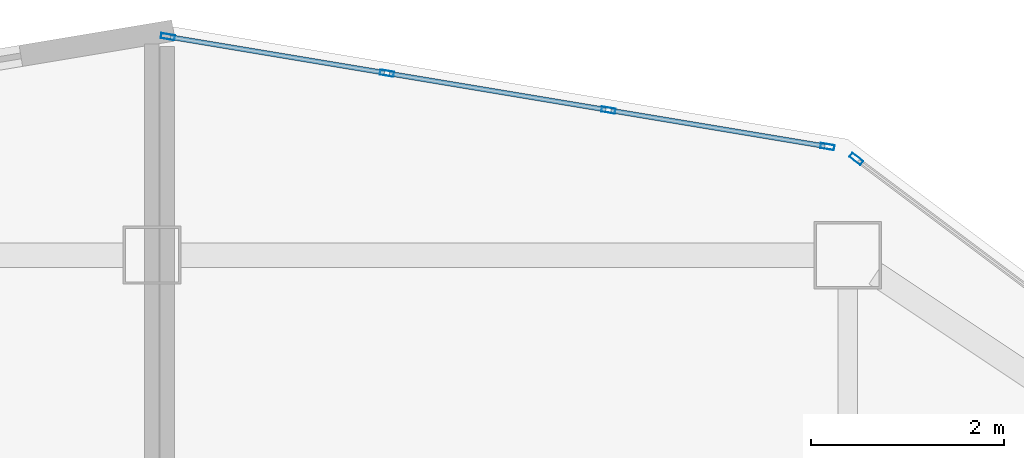
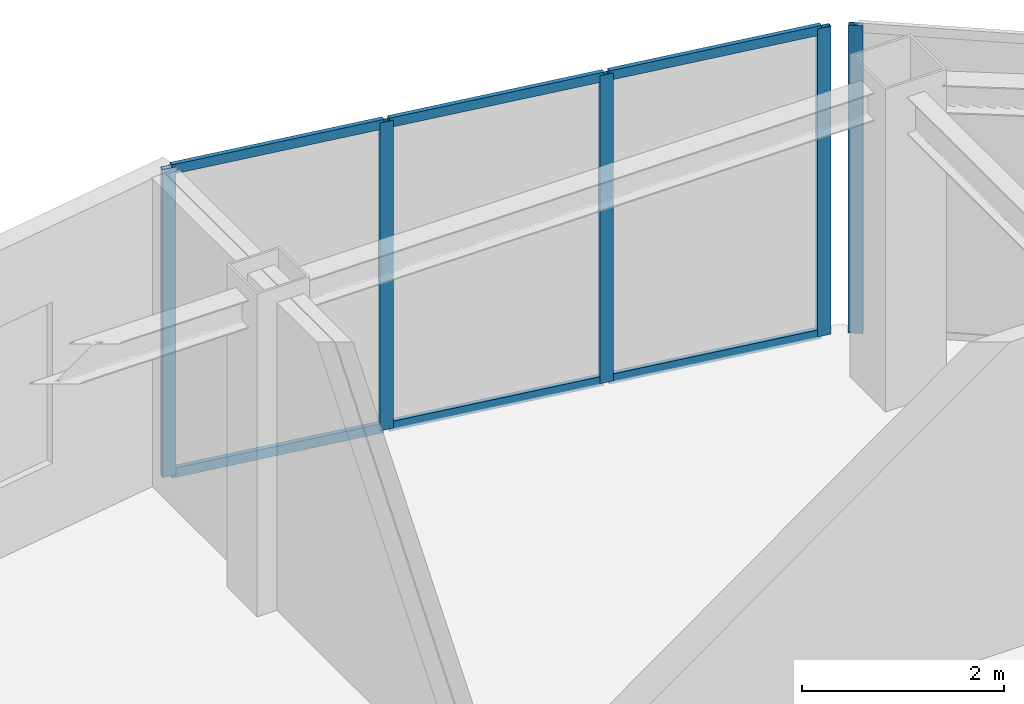
# One storey, part 3 of 8: 11 members, 2 elements without a shape of their own.
"""IFC4 building model written with IfcOpenShell, lengths in metres."""

import ifcopenshell
import ifcopenshell.guid

model = None  # the IFC model being written
_history = None  # IfcOwnerHistory: only IFC2X3 demands one
_inside = {}  # id of a spatial element -> (the spatial element, [elements in it])
_under = {}  # id of a project, library or spatial element -> (it, [spatial elements below it])
_declared = {}  # id of a project -> (the project, [libraries it declares])
_typed = {}  # id of a type object -> (the type object, [elements of that type])
_made_of = {}  # id of a material, layer set ... -> (it, [elements and type objects made of it])


def new_model(schema):
    """Start an empty IFC model of exactly this schema.

    Asked for "IFC4X3", IfcOpenShell would pick the latest addendum, in which some entities
    have other attributes; the version numbers below select the first issue.
    IFC2X3 requires an IfcOwnerHistory on every rooted entity: one is made here for all.
    """
    global model, _history
    if schema == "IFC4X3":
        model = ifcopenshell.file(schema_version=(4, 3, 0, 0))
    else:
        model = ifcopenshell.file(schema=schema)
    _inside.clear()
    _under.clear()
    _declared.clear()
    _typed.clear()
    _made_of.clear()
    _history = None
    if model.schema == "IFC2X3":
        org = make("IfcOrganization", Name="unknown")
        user = make(
            "IfcPersonAndOrganization",
            ThePerson=make("IfcPerson", FamilyName="unknown"),
            TheOrganization=org,
        )
        app = make(
            "IfcApplication",
            ApplicationDeveloper=org,
            Version="unknown",
            ApplicationFullName="unknown",
            ApplicationIdentifier="unknown",
        )
        _history = make(
            "IfcOwnerHistory",
            OwningUser=user,
            OwningApplication=app,
            ChangeAction="ADDED",
            CreationDate=0,
        )
    return model


def make(cls, **values):
    """One entity of the class cls with the attributes given. An attribute that is None is left unset."""
    return model.create_entity(
        cls, **{name: value for name, value in values.items() if value is not None}
    )


def rooted(cls, **values):
    """An entity with a GlobalId (a new one), such as an element, a storey or a relation."""
    return make(cls, GlobalId=ifcopenshell.guid.new(), OwnerHistory=_history, **values)


def si_unit(unit_type, name, prefix=None):
    """IfcSIUnit, for example si_unit("LENGTHUNIT", "METRE", prefix="MILLI")."""
    return make("IfcSIUnit", UnitType=unit_type, Prefix=prefix, Name=name)


def assignment(units):
    """IfcUnitAssignment: the units of a project."""
    return None if units is None else make("IfcUnitAssignment", Units=units)


def point(xyz):
    """IfcCartesianPoint."""
    return None if xyz is None else make("IfcCartesianPoint", Coordinates=xyz)


def direction(xyz):
    """IfcDirection."""
    return None if xyz is None else make("IfcDirection", DirectionRatios=xyz)


def frame(location, z_axis=None, x_axis=None):
    """IfcAxis2Placement3D, a coordinate frame: its origin and axes. An axis left out is left unset."""
    return make(
        "IfcAxis2Placement3D",
        Location=point(location),
        Axis=direction(z_axis),
        RefDirection=direction(x_axis),
    )


def frame_2d(location, x_axis=None):
    """IfcAxis2Placement2D, a coordinate frame in the plane: its origin and x axis."""
    return make(
        "IfcAxis2Placement2D", Location=point(location), RefDirection=direction(x_axis)
    )


def origin():
    """The frame at (0, 0, 0) with its axes left unset."""
    return frame((0.0, 0.0, 0.0))


def origin_2d():
    """The frame at (0, 0) in the plane with its x axis left unset."""
    return frame_2d((0.0, 0.0))


def place(relative_to, where):
    """IfcLocalPlacement: puts the frame where relative to a parent placement (None: the world)."""
    return make(
        "IfcLocalPlacement", PlacementRelTo=relative_to, RelativePlacement=where
    )


def context(
    kind, dimensions, precision=None, world=None, true_north=None, identifier=None
):
    """IfcGeometricRepresentationContext, for example the 3D "Model" context."""
    return make(
        "IfcGeometricRepresentationContext",
        ContextIdentifier=identifier,
        ContextType=kind,
        CoordinateSpaceDimension=dimensions,
        Precision=precision,
        WorldCoordinateSystem=world,
        TrueNorth=true_north,
    )


def subcontext(parent, identifier, kind, view, scale=None):
    """IfcGeometricRepresentationSubContext, for example "Body" below "Model"."""
    return make(
        "IfcGeometricRepresentationSubContext",
        ContextIdentifier=identifier,
        ContextType=kind,
        ParentContext=parent,
        TargetScale=scale,
        TargetView=view,
    )


def project(units=None, contexts=None):
    """IfcProject with its units and contexts."""
    return rooted(
        "IfcProject",
        Name="project",
        RepresentationContexts=contexts,
        UnitsInContext=assignment(units),
    )


def spatial(cls, under=None, at=None, **own):
    """A site, building, storey or space (cls), placed at a placement, below another one or the project."""
    s = rooted(cls, ObjectPlacement=at, **own)
    if under is not None:
        _under.setdefault(under.id(), (under, []))[1].append(s)
    return s


def profile(cls, at=None, kind="AREA", **sizes):
    """A parametric profile (cls). Its sizes go by their IFC names, for example OverallWidth=200.0."""
    return make(cls, ProfileType=kind, Position=at, **sizes)


def hollow_rectangle(**sizes):
    """IfcRectangleHollowProfileDef."""
    return profile("IfcRectangleHollowProfileDef", **sizes)


def extrude(swept, where, along, depth):
    """IfcExtrudedAreaSolid: the profile swept, set in the frame where, extruded along a direction by depth."""
    return make(
        "IfcExtrudedAreaSolid",
        SweptArea=swept,
        Position=where,
        ExtrudedDirection=direction(along),
        Depth=depth,
    )


def shape(context_of_items, identifier, shape_type, items):
    """IfcShapeRepresentation: the items that make up one representation, for example the "Body"."""
    return make(
        "IfcShapeRepresentation",
        ContextOfItems=context_of_items,
        RepresentationIdentifier=identifier,
        RepresentationType=shape_type,
        Items=items,
    )


def material(Name=None, Category=None):
    """IfcMaterial."""
    return make("IfcMaterial", Name=Name, Category=Category)


def layer(
    of_material, thickness, ventilated=None, Name=None, Category=None, Priority=None
):
    """IfcMaterialLayer: one layer of a wall or slab, of a material (None: an air gap)."""
    return make(
        "IfcMaterialLayer",
        Material=of_material,
        LayerThickness=thickness,
        IsVentilated=ventilated,
        Name=Name,
        Category=Category,
        Priority=Priority,
    )


def layer_set(layers, Name=None):
    """IfcMaterialLayerSet."""
    return make("IfcMaterialLayerSet", MaterialLayers=layers, LayerSetName=Name)


def material_profile(
    of_material, cross_section, Name=None, Category=None, Priority=None
):
    """IfcMaterialProfile: a cross section and its material."""
    return make(
        "IfcMaterialProfile",
        Name=Name,
        Material=of_material,
        Profile=cross_section,
        Priority=Priority,
        Category=Category,
    )


def profile_set(profiles, Name=None, composite=None):
    """IfcMaterialProfileSet."""
    return make(
        "IfcMaterialProfileSet",
        Name=Name,
        MaterialProfiles=profiles,
        CompositeProfile=composite,
    )


def made_of(thing, what):
    """Note that an element or type object is made of a material, layer set ...; save() writes the relation."""
    if what is not None:
        _made_of.setdefault(what.id(), (what, []))[1].append(thing)
    return thing


def type_object(cls, material=None, **own):
    """A type object (cls), such as IfcWallType, which elements share."""
    return made_of(rooted(cls, **own), material)


def element(
    cls,
    number,
    at=None,
    inside=None,
    cuts=None,
    type_object=None,
    material=None,
    context=None,
    identifier="Body",
    shape_type=None,
    held_by="IfcProductDefinitionShape",
    body=None,
    shapes=None,
    **own,
):
    """One element of the class cls, such as IfcWall. Its Tag is "e" and its number.

    at: its placement. inside: the storey or other place that contains it. cuts: it is an
    opening in that element (IfcRelVoidsElement). A single representation is given by context,
    identifier, shape_type and body (its items); several are given by shapes. held_by: the class
    of the entity that holds the representations. save() writes the other relations.
    """
    e = rooted(cls, Tag="e%d" % number, ObjectPlacement=at, **own)
    if body is not None:
        shapes = [shape(context, identifier, shape_type, body)]
    if shapes is not None:
        e.Representation = make(held_by, Representations=shapes)
    if inside is not None:
        _inside.setdefault(inside.id(), (inside, []))[1].append(e)
    if cuts is not None:
        rooted(
            "IfcRelVoidsElement", RelatingBuildingElement=cuts, RelatedOpeningElement=e
        )
    if type_object is not None:
        _typed.setdefault(type_object.id(), (type_object, []))[1].append(e)
    return made_of(e, material)


def aggregate(whole, parts):
    """IfcRelAggregates: a whole, such as a stair, and the parts it consists of."""
    return rooted("IfcRelAggregates", RelatingObject=whole, RelatedObjects=parts)


def save(model, path):
    """Write the relations noted so far, then the file.

    IfcRelAggregates (storeys below a building ...), IfcRelContainedInSpatialStructure (elements
    in a storey), IfcRelDefinesByType, IfcRelAssociatesMaterial and IfcRelDeclares: one each for
    every whole, place, type object, material and project.
    """
    for whole, parts in _under.values():
        aggregate(whole, parts)
    for where, things in _inside.values():
        rooted(
            "IfcRelContainedInSpatialStructure",
            RelatedElements=things,
            RelatingStructure=where,
        )
    for kind, things in _typed.values():
        rooted("IfcRelDefinesByType", RelatedObjects=things, RelatingType=kind)
    for what, things in _made_of.values():
        rooted("IfcRelAssociatesMaterial", RelatedObjects=things, RelatingMaterial=what)
    for by, libraries in _declared.values():
        rooted("IfcRelDeclares", RelatingContext=by, RelatedDefinitions=libraries)
    model.write(path)


model = new_model("IFC4")

# Units and contexts
model_context = context("Model", 3, precision=1e-05, world=origin(), true_north=direction((0.0, 1.0)))
body_context = subcontext(model_context, "Body", "Model", "MODEL_VIEW")
ifc_project = project(units=[si_unit("LENGTHUNIT", "METRE"), si_unit("AREAUNIT", "SQUARE_METRE"), si_unit("VOLUMEUNIT", "CUBIC_METRE"), si_unit("PLANEANGLEUNIT", "RADIAN"), si_unit("MASSUNIT", "GRAM", prefix="KILO")], contexts=[model_context])

# Site, building, storey
site_placement = place(None, origin())
site = spatial("IfcSite", under=ifc_project, at=site_placement, CompositionType="ELEMENT")
building_placement = place(site_placement, origin())
building = spatial("IfcBuilding", under=site, at=building_placement, Name="Haolan Belvedere Tower", CompositionType="ELEMENT")
storey_placement = place(building_placement, frame((0.0, 0.0, 305.60009765625)))
storey = spatial("IfcBuildingStorey", under=building, at=storey_placement, Name="L77", CompositionType="ELEMENT", Elevation=305.60009765625)

# Curtain wall, member
ifc_material_1 = material(Name="Anodised champagne-silver aluminium 6063-T6 and Low-E glass", Category="aluminium")
ifc_layer = layer(ifc_material_1, 0.14501953125, Name="Anodised champagne-silver aluminium 6063-T6 and Low-E glass")
ifc_layer_set = layer_set([ifc_layer], Name="Anodised champagne-silver aluminium 6063-T6 and Low-E glass")
curtain_wall_type = type_object("IfcCurtainWallType", Name="CW-SYS-05", PredefinedType="NOTDEFINED", material=ifc_layer_set)
curtain_wall_1_placement = place(storey_placement, origin())
curtain_wall_1 = element("IfcCurtainWall", 1, at=curtain_wall_1_placement, inside=storey, type_object=curtain_wall_type, Name="L77 CW-SYS-05 ribbon curtain wall 8.1", PredefinedType="NOTDEFINED")
ifc_material_2 = material(Name="Anodised aluminium 6063-T6", Category="aluminium")
ifc_material_profile_1 = material_profile(ifc_material_2, hollow_rectangle(XDim=0.053955078125, YDim=0.14501953125, WallThickness=0.00390625, at=origin_2d()), Name="Anodised aluminium 6063-T6")
ifc_profile_set_1 = profile_set([ifc_material_profile_1], Name="Anodised aluminium 6063-T6")
member_type_1 = type_object("IfcMemberType", Name="CW-SYS-05-MUL", PredefinedType="MULLION", material=ifc_profile_set_1)
member_1_placement = place(storey_placement, frame((45.689208984375, 51.395751953125, 0.0), z_axis=(0.0, 0.0, 1.0), x_axis=(-0.600002837806, -0.799997871638, 0.0)))
member_1 = element("IfcMember", 2, at=member_1_placement, type_object=member_type_1, Name="CW-05 mullion 3", PredefinedType="MULLION", context=body_context, shape_type="SweptSolid", body=[
    extrude(hollow_rectangle(XDim=0.053955078125, YDim=0.14501953125, WallThickness=0.00390625, at=origin_2d()), origin(), (0.0, 0.0, 1.0), 3.719970703125),
])
aggregate(curtain_wall_1, [member_1])

# Curtain wall, members
curtain_wall_2_placement = place(storey_placement, origin())
curtain_wall_2 = element("IfcCurtainWall", 3, at=curtain_wall_2_placement, inside=storey, type_object=curtain_wall_type, Name="L77 CW-SYS-05 ribbon curtain wall 9.1", PredefinedType="NOTDEFINED")
member_2_placement = place(storey_placement, frame((45.390869140625, 51.5234375, 0.0), z_axis=(0.0, 0.0, 1.0), x_axis=(-0.164405962825, -0.98639276122, 0.0)))
member_2 = element("IfcMember", 4, at=member_2_placement, type_object=member_type_1, Name="CW-05 mullion 1", PredefinedType="MULLION", context=body_context, shape_type="SweptSolid", body=[
    extrude(hollow_rectangle(XDim=0.053955078125, YDim=0.14501953125, WallThickness=0.00390625, at=origin_2d()), origin(), (0.0, 0.0, 1.0), 3.719970703125),
])
member_3_placement = place(storey_placement, frame((43.124267578125, 51.901123046875, 0.0), z_axis=(0.0, 0.0, 1.0), x_axis=(-0.164405962825, -0.98639276122, 0.0)))
member_3 = element("IfcMember", 5, at=member_3_placement, type_object=member_type_1, Name="CW-05 mullion 2", PredefinedType="MULLION", context=body_context, shape_type="SweptSolid", body=[
    extrude(hollow_rectangle(XDim=0.053955078125, YDim=0.14501953125, WallThickness=0.00390625, at=origin_2d()), origin(), (0.0, 0.0, 1.0), 3.719970703125),
])
member_4_placement = place(storey_placement, frame((40.831298828125, 52.283203125, 0.0), z_axis=(0.0, 0.0, 1.0), x_axis=(-0.164405962825, -0.98639276122, 0.0)))
member_4 = element("IfcMember", 6, at=member_4_placement, type_object=member_type_1, Name="CW-05 mullion 3", PredefinedType="MULLION", context=body_context, shape_type="SweptSolid", body=[
    extrude(hollow_rectangle(XDim=0.053955078125, YDim=0.14501953125, WallThickness=0.00390625, at=origin_2d()), origin(), (0.0, 0.0, 1.0), 3.719970703125),
])
member_5_placement = place(storey_placement, frame((38.564697265625, 52.6611328125, 0.0), z_axis=(0.0, 0.0, 1.0), x_axis=(-0.164405962825, -0.98639276122, 0.0)))
member_5 = element("IfcMember", 7, at=member_5_placement, type_object=member_type_1, Name="CW-05 mullion 4", PredefinedType="MULLION", context=body_context, shape_type="SweptSolid", body=[
    extrude(hollow_rectangle(XDim=0.053955078125, YDim=0.14501953125, WallThickness=0.00390625, at=origin_2d()), origin(), (0.0, 0.0, 1.0), 3.719970703125),
])
ifc_material_profile_2 = material_profile(ifc_material_2, hollow_rectangle(XDim=0.050048828125, YDim=0.114990234375, WallThickness=0.00390625, at=origin_2d()), Name="Anodised aluminium 6063-T6")
ifc_profile_set_2 = profile_set([ifc_material_profile_2], Name="Anodised aluminium 6063-T6")
member_type_2 = type_object("IfcMemberType", Name="CW-SYS-05-TRN", PredefinedType="USERDEFINED", material=ifc_profile_set_2)
member_6_placement = place(storey_placement, frame((45.364013671875, 51.52783203125, 0.02490234375), z_axis=(-0.986390982779, 0.164416632651, 0.0), x_axis=(-0.164416632651, -0.986390982779, 0.0)))
member_6 = element("IfcMember", 8, at=member_6_placement, type_object=member_type_2, Name="CW-05 transom 1.1", ObjectType="TRANSOM", PredefinedType="USERDEFINED", context=body_context, shape_type="SweptSolid", body=[
    extrude(hollow_rectangle(XDim=0.050048828125, YDim=0.114990234375, WallThickness=0.00390625, at=origin_2d()), origin(), (0.0, 0.0, 1.0), 2.24365234375),
])
member_7_placement = place(storey_placement, frame((45.364013671875, 51.52783203125, 3.69482421875), z_axis=(-0.986390982779, 0.164416632651, 0.0), x_axis=(-0.164416632651, -0.986390982779, 0.0)))
member_7 = element("IfcMember", 9, at=member_7_placement, type_object=member_type_2, Name="CW-05 transom 1.2", ObjectType="TRANSOM", PredefinedType="USERDEFINED", context=body_context, shape_type="SweptSolid", body=[
    extrude(hollow_rectangle(XDim=0.050048828125, YDim=0.114990234375, WallThickness=0.00390625, at=origin_2d()), origin(), (0.0, 0.0, 1.0), 2.24365234375),
])
member_8_placement = place(storey_placement, frame((43.09765625, 51.905517578125, 0.02490234375), z_axis=(-0.986393923832, 0.164398987305, 0.0), x_axis=(-0.164398987305, -0.986393923832, 0.0)))
member_8 = element("IfcMember", 10, at=member_8_placement, type_object=member_type_2, Name="CW-05 transom 2.1", ObjectType="TRANSOM", PredefinedType="USERDEFINED", context=body_context, shape_type="SweptSolid", body=[
    extrude(hollow_rectangle(XDim=0.050048828125, YDim=0.114990234375, WallThickness=0.00390625, at=origin_2d()), origin(), (0.0, 0.0, 1.0), 2.270751953125),
])
member_9_placement = place(storey_placement, frame((43.09765625, 51.905517578125, 3.69482421875), z_axis=(-0.986393923832, 0.164398987305, 0.0), x_axis=(-0.164398987305, -0.986393923832, 0.0)))
member_9 = element("IfcMember", 11, at=member_9_placement, type_object=member_type_2, Name="CW-05 transom 2.2", ObjectType="TRANSOM", PredefinedType="USERDEFINED", context=body_context, shape_type="SweptSolid", body=[
    extrude(hollow_rectangle(XDim=0.050048828125, YDim=0.114990234375, WallThickness=0.00390625, at=origin_2d()), origin(), (0.0, 0.0, 1.0), 2.270751953125),
])
member_10_placement = place(storey_placement, frame((40.8046875, 52.287841796875, 0.02490234375), z_axis=(-0.986393923832, 0.164398987305, 0.0), x_axis=(-0.164398987305, -0.986393923832, 0.0)))
member_10 = element("IfcMember", 12, at=member_10_placement, type_object=member_type_2, Name="CW-05 transom 3.1", ObjectType="TRANSOM", PredefinedType="USERDEFINED", context=body_context, shape_type="SweptSolid", body=[
    extrude(hollow_rectangle(XDim=0.050048828125, YDim=0.114990234375, WallThickness=0.00390625, at=origin_2d()), origin(), (0.0, 0.0, 1.0), 2.243896484375),
])
member_11_placement = place(storey_placement, frame((40.8046875, 52.287841796875, 3.69482421875), z_axis=(-0.986393923832, 0.164398987305, 0.0), x_axis=(-0.164398987305, -0.986393923832, 0.0)))
member_11 = element("IfcMember", 13, at=member_11_placement, type_object=member_type_2, Name="CW-05 transom 3.2", ObjectType="TRANSOM", PredefinedType="USERDEFINED", context=body_context, shape_type="SweptSolid", body=[
    extrude(hollow_rectangle(XDim=0.050048828125, YDim=0.114990234375, WallThickness=0.00390625, at=origin_2d()), origin(), (0.0, 0.0, 1.0), 2.243896484375),
])
aggregate(curtain_wall_2, [member_2, member_3, member_4, member_5, member_6, member_7, member_8, member_9, member_10, member_11])

save(model, "model.ifc")
